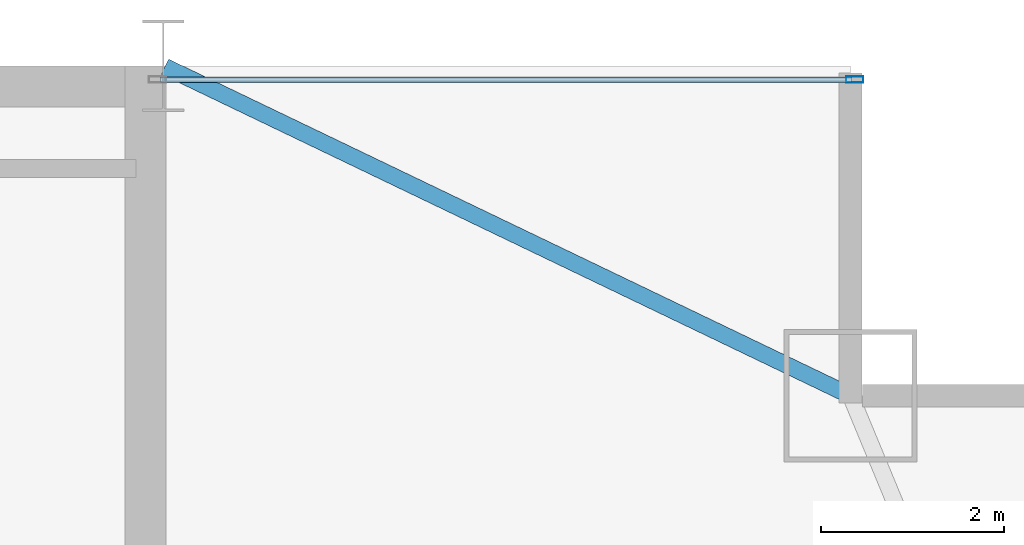
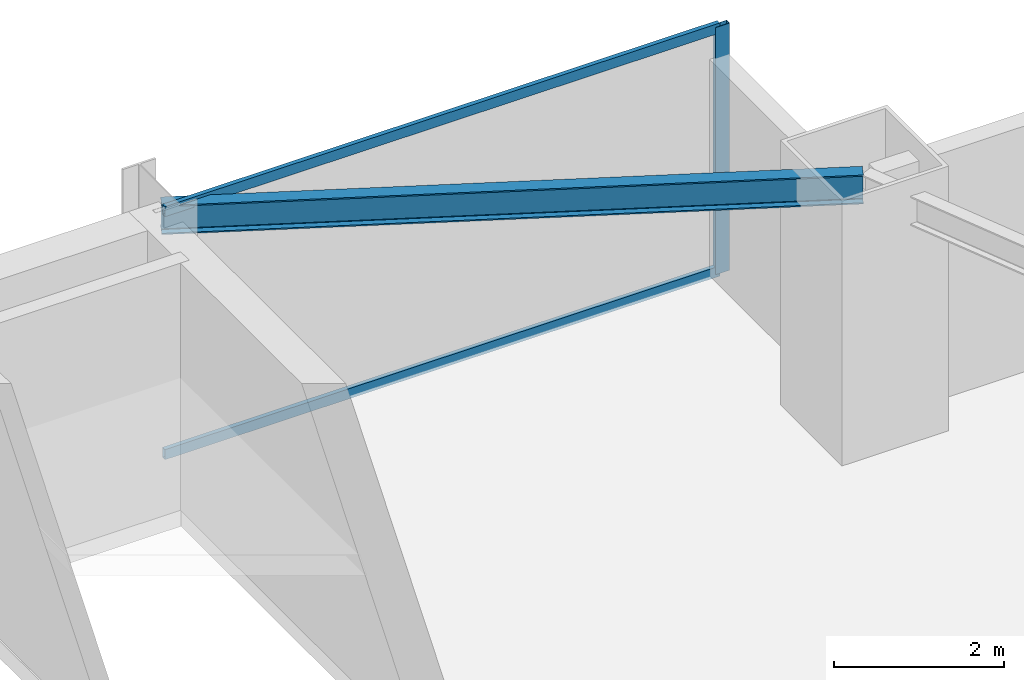
# One storey, part 25 of 33: 3 members, 1 beam, 1 element without a shape of its own.
"""IFC4 building model written with IfcOpenShell, lengths in metres."""

import ifcopenshell
import ifcopenshell.guid

model = None  # the IFC model being written
_history = None  # IfcOwnerHistory: only IFC2X3 demands one
_inside = {}  # id of a spatial element -> (the spatial element, [elements in it])
_under = {}  # id of a project, library or spatial element -> (it, [spatial elements below it])
_declared = {}  # id of a project -> (the project, [libraries it declares])
_typed = {}  # id of a type object -> (the type object, [elements of that type])
_made_of = {}  # id of a material, layer set ... -> (it, [elements and type objects made of it])


def new_model(schema):
    """Start an empty IFC model of exactly this schema.

    Asked for "IFC4X3", IfcOpenShell would pick the latest addendum, in which some entities
    have other attributes; the version numbers below select the first issue.
    IFC2X3 requires an IfcOwnerHistory on every rooted entity: one is made here for all.
    """
    global model, _history
    if schema == "IFC4X3":
        model = ifcopenshell.file(schema_version=(4, 3, 0, 0))
    else:
        model = ifcopenshell.file(schema=schema)
    _inside.clear()
    _under.clear()
    _declared.clear()
    _typed.clear()
    _made_of.clear()
    _history = None
    if model.schema == "IFC2X3":
        org = make("IfcOrganization", Name="unknown")
        user = make(
            "IfcPersonAndOrganization",
            ThePerson=make("IfcPerson", FamilyName="unknown"),
            TheOrganization=org,
        )
        app = make(
            "IfcApplication",
            ApplicationDeveloper=org,
            Version="unknown",
            ApplicationFullName="unknown",
            ApplicationIdentifier="unknown",
        )
        _history = make(
            "IfcOwnerHistory",
            OwningUser=user,
            OwningApplication=app,
            ChangeAction="ADDED",
            CreationDate=0,
        )
    return model


def make(cls, **values):
    """One entity of the class cls with the attributes given. An attribute that is None is left unset."""
    return model.create_entity(
        cls, **{name: value for name, value in values.items() if value is not None}
    )


def rooted(cls, **values):
    """An entity with a GlobalId (a new one), such as an element, a storey or a relation."""
    return make(cls, GlobalId=ifcopenshell.guid.new(), OwnerHistory=_history, **values)


def si_unit(unit_type, name, prefix=None):
    """IfcSIUnit, for example si_unit("LENGTHUNIT", "METRE", prefix="MILLI")."""
    return make("IfcSIUnit", UnitType=unit_type, Prefix=prefix, Name=name)


def assignment(units):
    """IfcUnitAssignment: the units of a project."""
    return None if units is None else make("IfcUnitAssignment", Units=units)


def point(xyz):
    """IfcCartesianPoint."""
    return None if xyz is None else make("IfcCartesianPoint", Coordinates=xyz)


def direction(xyz):
    """IfcDirection."""
    return None if xyz is None else make("IfcDirection", DirectionRatios=xyz)


def frame(location, z_axis=None, x_axis=None):
    """IfcAxis2Placement3D, a coordinate frame: its origin and axes. An axis left out is left unset."""
    return make(
        "IfcAxis2Placement3D",
        Location=point(location),
        Axis=direction(z_axis),
        RefDirection=direction(x_axis),
    )


def frame_2d(location, x_axis=None):
    """IfcAxis2Placement2D, a coordinate frame in the plane: its origin and x axis."""
    return make(
        "IfcAxis2Placement2D", Location=point(location), RefDirection=direction(x_axis)
    )


def origin():
    """The frame at (0, 0, 0) with its axes left unset."""
    return frame((0.0, 0.0, 0.0))


def origin_2d():
    """The frame at (0, 0) in the plane with its x axis left unset."""
    return frame_2d((0.0, 0.0))


def place(relative_to, where):
    """IfcLocalPlacement: puts the frame where relative to a parent placement (None: the world)."""
    return make(
        "IfcLocalPlacement", PlacementRelTo=relative_to, RelativePlacement=where
    )


def context(
    kind, dimensions, precision=None, world=None, true_north=None, identifier=None
):
    """IfcGeometricRepresentationContext, for example the 3D "Model" context."""
    return make(
        "IfcGeometricRepresentationContext",
        ContextIdentifier=identifier,
        ContextType=kind,
        CoordinateSpaceDimension=dimensions,
        Precision=precision,
        WorldCoordinateSystem=world,
        TrueNorth=true_north,
    )


def subcontext(parent, identifier, kind, view, scale=None):
    """IfcGeometricRepresentationSubContext, for example "Body" below "Model"."""
    return make(
        "IfcGeometricRepresentationSubContext",
        ContextIdentifier=identifier,
        ContextType=kind,
        ParentContext=parent,
        TargetScale=scale,
        TargetView=view,
    )


def project(units=None, contexts=None):
    """IfcProject with its units and contexts."""
    return rooted(
        "IfcProject",
        Name="project",
        RepresentationContexts=contexts,
        UnitsInContext=assignment(units),
    )


def spatial(cls, under=None, at=None, **own):
    """A site, building, storey or space (cls), placed at a placement, below another one or the project."""
    s = rooted(cls, ObjectPlacement=at, **own)
    if under is not None:
        _under.setdefault(under.id(), (under, []))[1].append(s)
    return s


def profile(cls, at=None, kind="AREA", **sizes):
    """A parametric profile (cls). Its sizes go by their IFC names, for example OverallWidth=200.0."""
    return make(cls, ProfileType=kind, Position=at, **sizes)


def hollow_rectangle(**sizes):
    """IfcRectangleHollowProfileDef."""
    return profile("IfcRectangleHollowProfileDef", **sizes)


def i_section(**sizes):
    """IfcIShapeProfileDef."""
    return profile("IfcIShapeProfileDef", **sizes)


def extrude(swept, where, along, depth):
    """IfcExtrudedAreaSolid: the profile swept, set in the frame where, extruded along a direction by depth."""
    return make(
        "IfcExtrudedAreaSolid",
        SweptArea=swept,
        Position=where,
        ExtrudedDirection=direction(along),
        Depth=depth,
    )


def shape(context_of_items, identifier, shape_type, items):
    """IfcShapeRepresentation: the items that make up one representation, for example the "Body"."""
    return make(
        "IfcShapeRepresentation",
        ContextOfItems=context_of_items,
        RepresentationIdentifier=identifier,
        RepresentationType=shape_type,
        Items=items,
    )


def source(mapping_origin, context_of_items, identifier, shape_type, items):
    """IfcRepresentationMap: a shape defined once, which mapped items show again and again."""
    return make(
        "IfcRepresentationMap",
        MappingOrigin=mapping_origin,
        MappedRepresentation=shape(context_of_items, identifier, shape_type, items),
    )


def transform(
    local_origin,
    x_axis=None,
    y_axis=None,
    z_axis=None,
    scale=None,
    scale2=None,
    scale3=None,
    uniform=True,
):
    """IfcCartesianTransformationOperator3D, or its non-uniform kind. x_axis, y_axis, z_axis: its Axis1, 2, 3."""
    if uniform:
        return make(
            "IfcCartesianTransformationOperator3D",
            Axis1=direction(x_axis),
            Axis2=direction(y_axis),
            LocalOrigin=point(local_origin),
            Scale=scale,
            Axis3=direction(z_axis),
        )
    return make(
        "IfcCartesianTransformationOperator3DnonUniform",
        Axis1=direction(x_axis),
        Axis2=direction(y_axis),
        LocalOrigin=point(local_origin),
        Scale=scale,
        Axis3=direction(z_axis),
        Scale2=scale2,
        Scale3=scale3,
    )


def mapped(mapping_source, mapping_target):
    """IfcMappedItem: shows the shape of a source again, moved by a transform."""
    return make(
        "IfcMappedItem", MappingSource=mapping_source, MappingTarget=mapping_target
    )


def material(Name=None, Category=None):
    """IfcMaterial."""
    return make("IfcMaterial", Name=Name, Category=Category)


def layer(
    of_material, thickness, ventilated=None, Name=None, Category=None, Priority=None
):
    """IfcMaterialLayer: one layer of a wall or slab, of a material (None: an air gap)."""
    return make(
        "IfcMaterialLayer",
        Material=of_material,
        LayerThickness=thickness,
        IsVentilated=ventilated,
        Name=Name,
        Category=Category,
        Priority=Priority,
    )


def layer_set(layers, Name=None):
    """IfcMaterialLayerSet."""
    return make("IfcMaterialLayerSet", MaterialLayers=layers, LayerSetName=Name)


def material_profile(
    of_material, cross_section, Name=None, Category=None, Priority=None
):
    """IfcMaterialProfile: a cross section and its material."""
    return make(
        "IfcMaterialProfile",
        Name=Name,
        Material=of_material,
        Profile=cross_section,
        Priority=Priority,
        Category=Category,
    )


def profile_set(profiles, Name=None, composite=None):
    """IfcMaterialProfileSet."""
    return make(
        "IfcMaterialProfileSet",
        Name=Name,
        MaterialProfiles=profiles,
        CompositeProfile=composite,
    )


def made_of(thing, what):
    """Note that an element or type object is made of a material, layer set ...; save() writes the relation."""
    if what is not None:
        _made_of.setdefault(what.id(), (what, []))[1].append(thing)
    return thing


def type_object(cls, material=None, **own):
    """A type object (cls), such as IfcWallType, which elements share."""
    return made_of(rooted(cls, **own), material)


def type_shapes(of_type, sources):
    """Give a type object the sources (RepresentationMaps) that its elements show as mapped items."""
    of_type.RepresentationMaps = sources


def element(
    cls,
    number,
    at=None,
    inside=None,
    cuts=None,
    type_object=None,
    material=None,
    context=None,
    identifier="Body",
    shape_type=None,
    held_by="IfcProductDefinitionShape",
    body=None,
    shapes=None,
    **own,
):
    """One element of the class cls, such as IfcWall. Its Tag is "e" and its number.

    at: its placement. inside: the storey or other place that contains it. cuts: it is an
    opening in that element (IfcRelVoidsElement). A single representation is given by context,
    identifier, shape_type and body (its items); several are given by shapes. held_by: the class
    of the entity that holds the representations. save() writes the other relations.
    """
    e = rooted(cls, Tag="e%d" % number, ObjectPlacement=at, **own)
    if body is not None:
        shapes = [shape(context, identifier, shape_type, body)]
    if shapes is not None:
        e.Representation = make(held_by, Representations=shapes)
    if inside is not None:
        _inside.setdefault(inside.id(), (inside, []))[1].append(e)
    if cuts is not None:
        rooted(
            "IfcRelVoidsElement", RelatingBuildingElement=cuts, RelatedOpeningElement=e
        )
    if type_object is not None:
        _typed.setdefault(type_object.id(), (type_object, []))[1].append(e)
    return made_of(e, material)


def aggregate(whole, parts):
    """IfcRelAggregates: a whole, such as a stair, and the parts it consists of."""
    return rooted("IfcRelAggregates", RelatingObject=whole, RelatedObjects=parts)


def save(model, path):
    """Write the relations noted so far, then the file.

    IfcRelAggregates (storeys below a building ...), IfcRelContainedInSpatialStructure (elements
    in a storey), IfcRelDefinesByType, IfcRelAssociatesMaterial and IfcRelDeclares: one each for
    every whole, place, type object, material and project.
    """
    for whole, parts in _under.values():
        aggregate(whole, parts)
    for where, things in _inside.values():
        rooted(
            "IfcRelContainedInSpatialStructure",
            RelatedElements=things,
            RelatingStructure=where,
        )
    for kind, things in _typed.values():
        rooted("IfcRelDefinesByType", RelatedObjects=things, RelatingType=kind)
    for what, things in _made_of.values():
        rooted("IfcRelAssociatesMaterial", RelatedObjects=things, RelatingMaterial=what)
    for by, libraries in _declared.values():
        rooted("IfcRelDeclares", RelatingContext=by, RelatedDefinitions=libraries)
    model.write(path)


model = new_model("IFC4")

# Units and contexts
model_context = context("Model", 3, precision=1e-05, world=origin(), true_north=direction((0.0, 1.0)))
body_context = subcontext(model_context, "Body", "Model", "MODEL_VIEW")
ifc_project = project(units=[si_unit("LENGTHUNIT", "METRE"), si_unit("AREAUNIT", "SQUARE_METRE"), si_unit("VOLUMEUNIT", "CUBIC_METRE"), si_unit("PLANEANGLEUNIT", "RADIAN"), si_unit("MASSUNIT", "GRAM", prefix="KILO")], contexts=[model_context])

# Site, building, storey
site_placement = place(None, origin())
site = spatial("IfcSite", under=ifc_project, at=site_placement, CompositionType="ELEMENT")
building_placement = place(site_placement, origin())
building = spatial("IfcBuilding", under=site, at=building_placement, Name="Varnel Quay Broadcast Tower", CompositionType="ELEMENT")
storey_placement = place(building_placement, frame((0.0, 0.0, 129.60009765625)))
storey = spatial("IfcBuildingStorey", under=building, at=storey_placement, Name="L31", CompositionType="ELEMENT", Elevation=129.60009765625)

# Beam
ifc_material_1 = material(Name="Structural Steel CSA G40.21 350W", Category="steel")
ifc_material_profile_1 = material_profile(ifc_material_1, i_section(OverallWidth=0.180908203125, OverallDepth=0.4169921875, WebThickness=0.010986328125, FlangeThickness=0.018310546875, FilletRadius=0.011962890625, at=origin_2d()), Name="W410X85")
ifc_profile_set_1 = profile_set([ifc_material_profile_1], Name="Structural Steel CSA G40.21 350W")
beam_type = type_object("IfcBeamType", Name="Beam_W410X85", PredefinedType="SPANDREL", material=ifc_profile_set_1)
shared_shape_1 = source(origin(), body_context, "Body", "SweptSolid", [
    extrude(i_section(OverallWidth=0.180908203125, OverallDepth=0.4169921875, WebThickness=0.010986328125, FlangeThickness=0.018310546875, FilletRadius=0.011962890625, at=origin_2d()), origin(), (0.0, 0.0, 1.0), 8.279296875),
])
type_shapes(beam_type, [shared_shape_1])
beam_placement = place(storey_placement, frame((52.41796875, 46.791259765625, 3.34130859375), z_axis=(0.901535021024, -0.432706142626, 0.0), x_axis=(0.432706142626, 0.901535021024, 0.0)))
element("IfcBeam", 1, at=beam_placement, inside=storey, type_object=beam_type, Name="L31 NE Tie Spandrel", PredefinedType="SPANDREL", context=body_context, shape_type="MappedRepresentation", body=[
    mapped(shared_shape_1, transform((0.0, 0.0, 0.0), x_axis=(1.0, 0.0, 0.0), y_axis=(0.0, 1.0, 0.0), z_axis=(0.0, 0.0, 1.0), scale=1.0)),
])

# Curtain wall, members
ifc_material_2 = material(Name="Anodised Bronze Aluminium 6063-T6", Category="aluminium")
ifc_layer = layer(ifc_material_2, 0.18994140625, Name="Anodised Bronze Aluminium 6063-T6")
ifc_layer_set = layer_set([ifc_layer], Name="Anodised Bronze Aluminium 6063-T6")
curtain_wall_type = type_object("IfcCurtainWallType", Name="CW_LowerTower", PredefinedType="NOTDEFINED", material=ifc_layer_set)
curtain_wall_placement = place(storey_placement, origin())
curtain_wall = element("IfcCurtainWall", 2, at=curtain_wall_placement, inside=storey, type_object=curtain_wall_type, Name="L31 NE Wing Curtain Wall", PredefinedType="NOTDEFINED")
ifc_material_profile_2 = material_profile(ifc_material_2, hollow_rectangle(XDim=0.06005859375, YDim=0.14501953125, WallThickness=0.00341796875, at=origin_2d()), Name="ALU60X145X3.5")
ifc_profile_set_2 = profile_set([ifc_material_profile_2], Name="Anodised Bronze Aluminium 6063-T6")
member_type_1 = type_object("IfcMemberType", Name="Tran_CWS-02", PredefinedType="USERDEFINED", material=ifc_profile_set_2)
shared_shape_2 = source(origin(), body_context, "Body", "SweptSolid", [
    extrude(hollow_rectangle(XDim=0.06005859375, YDim=0.14501953125, WallThickness=0.00341796875, at=origin_2d()), origin(), (0.0, 0.0, 1.0), 7.539794921875),
])
type_shapes(member_type_1, [shared_shape_2])
member_1_placement = place(storey_placement, frame((52.3701171875, 46.64990234375, 0.02978515625), z_axis=(1.0, 0.0, 0.0), x_axis=(0.0, 1.0, 0.0)))
member_1 = element("IfcMember", 3, at=member_1_placement, type_object=member_type_1, Name="CWS-02 transom 1.1", ObjectType="TRANSOM", PredefinedType="USERDEFINED", context=body_context, shape_type="MappedRepresentation", body=[
    mapped(shared_shape_2, transform((0.0, 0.0, 0.0), x_axis=(1.0, 0.0, 0.0), y_axis=(0.0, 1.0, 0.0), z_axis=(0.0, 0.0, 1.0), scale=1.0)),
])
member_2_placement = place(storey_placement, frame((52.3701171875, 46.64990234375, 3.52001953125), z_axis=(1.0, 0.0, 0.0), x_axis=(0.0, 1.0, 0.0)))
member_2 = element("IfcMember", 4, at=member_2_placement, type_object=member_type_1, Name="CWS-02 transom 1.2", ObjectType="TRANSOM", PredefinedType="USERDEFINED", context=body_context, shape_type="MappedRepresentation", body=[
    mapped(shared_shape_2, transform((0.0, 0.0, 0.0), x_axis=(1.0, 0.0, 0.0), y_axis=(0.0, 1.0, 0.0), z_axis=(0.0, 0.0, 1.0), scale=1.0)),
])
ifc_material_profile_3 = material_profile(ifc_material_2, hollow_rectangle(XDim=0.070068359375, YDim=0.18994140625, WallThickness=0.00390625, at=origin_2d()), Name="ALU70X190X4")
ifc_profile_set_3 = profile_set([ifc_material_profile_3], Name="Anodised Bronze Aluminium 6063-T6")
member_type_2 = type_object("IfcMemberType", Name="Mull_CWS-02", PredefinedType="MULLION", material=ifc_profile_set_3)
shared_shape_3 = source(origin(), body_context, "Body", "SweptSolid", [
    extrude(hollow_rectangle(XDim=0.070068359375, YDim=0.18994140625, WallThickness=0.00390625, at=origin_2d()), origin(), (0.0, 0.0, 1.0), 3.5498046875),
])
type_shapes(member_type_2, [shared_shape_3])
member_3_placement = place(storey_placement, frame((59.945068359375, 46.64990234375, 0.0), z_axis=(0.0, 0.0, 1.0), x_axis=(0.0, 1.0, 0.0)))
member_3 = element("IfcMember", 5, at=member_3_placement, type_object=member_type_2, Name="CWS-02 mullion 2", PredefinedType="MULLION", context=body_context, shape_type="MappedRepresentation", body=[
    mapped(shared_shape_3, transform((0.0, 0.0, 0.0), x_axis=(1.0, 0.0, 0.0), y_axis=(0.0, 1.0, 0.0), z_axis=(0.0, 0.0, 1.0), scale=1.0)),
])
aggregate(curtain_wall, [member_3, member_1, member_2])

save(model, "model.ifc")
